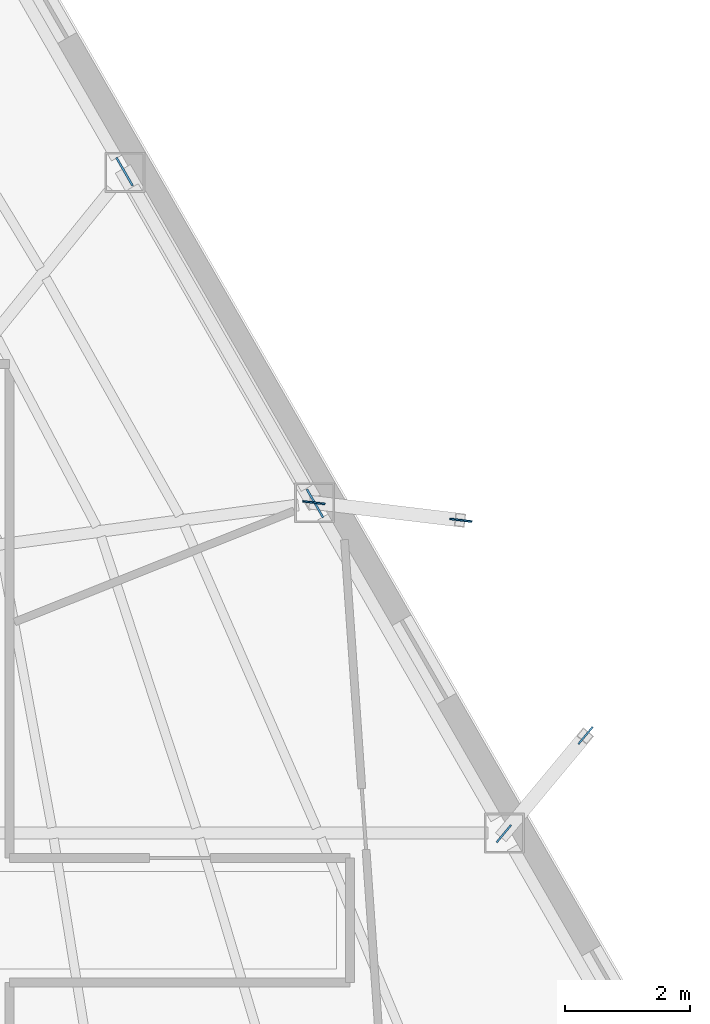
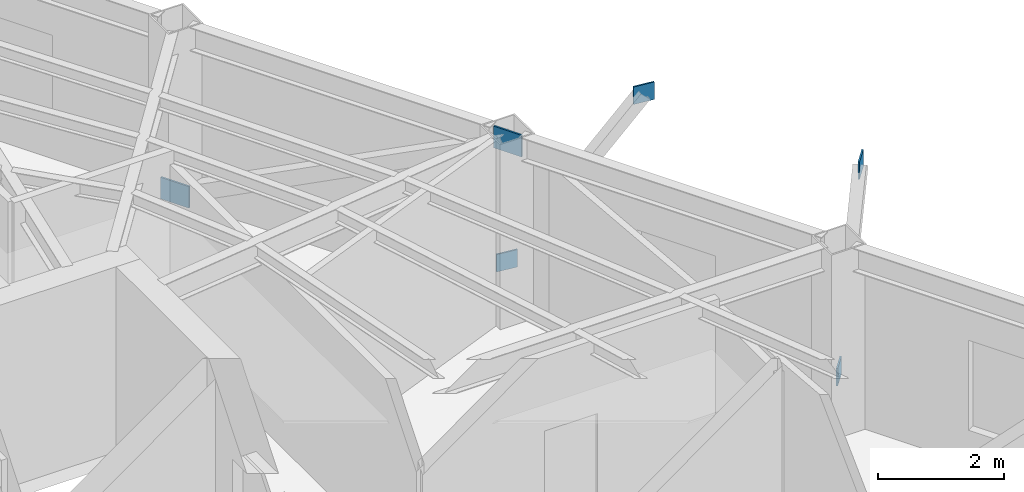
# One storey, part 5 of 11: 6 plates.
"""IFC4 building model written with IfcOpenShell, lengths in metres."""

from ifc_helpers import new_model, si_unit, direction, frame, origin, origin_2d, place, context, subcontext, project, spatial, rectangle, extrude, material, layer, layer_set, type_object, element, save


model = new_model("IFC4")

# Units and contexts
model_context = context("Model", 3, precision=1e-05, world=origin(), true_north=direction((0.0, 1.0)))
body_context = subcontext(model_context, "Body", "Model", "MODEL_VIEW")
ifc_project = project(units=[si_unit("LENGTHUNIT", "METRE"), si_unit("AREAUNIT", "SQUARE_METRE"), si_unit("VOLUMEUNIT", "CUBIC_METRE"), si_unit("PLANEANGLEUNIT", "RADIAN"), si_unit("MASSUNIT", "GRAM", prefix="KILO")], contexts=[model_context])

# Site, building, storey
site_placement = place(None, origin())
site = spatial("IfcSite", under=ifc_project, at=site_placement, CompositionType="ELEMENT")
building_placement = place(site_placement, origin())
building = spatial("IfcBuilding", under=site, at=building_placement, Name="Kavelnor Concourse Tower", CompositionType="ELEMENT")
storey_placement = place(building_placement, frame((0.0, 0.0, 172.699951171875)))
storey = spatial("IfcBuildingStorey", under=building, at=storey_placement, Name="L43", CompositionType="ELEMENT", Elevation=172.699951171875)

# Plates
ifc_material = material(Name="Steel Grade 350", Category="steel")
ifc_layer_1 = layer(ifc_material, 0.028076171875, Name="Steel Grade 350")
ifc_layer_set_1 = layer_set([ifc_layer_1], Name="Steel Grade 350")
plate_type_1 = type_object("IfcPlateType", Name="PL-GUSSET-FOLD", PredefinedType="USERDEFINED", material=ifc_layer_set_1)
for number, where, z_axis, x_axis, name in (
    (1, (57.865478515625, 17.489990234375, 0.8798828125), (0.0, 0.0, 1.0), (0.639573180455, 0.768730217204, 0.0), "L43 Balcony Strut Gusset GP4 1-A End Gusset A"),
    (2, (59.17578125, 19.064697265625, 3.48486328125), (0.0, 0.0, 1.0), (0.639573180455, 0.768730217204, 0.0), "L43 Balcony Strut Gusset GP4 1-A End Gusset B"),
    (3, (54.8193359375, 22.797607421875, 0.8798828125), (0.0, 0.0, 1.0), (0.992924116831, -0.118750571435, 0.0), "L43 Balcony Strut Gusset GP4 1-B End Gusset A"),
    (4, (57.17578125, 22.515625, 3.48486328125), (0.0, 0.0, 1.0), (0.992924116831, -0.118750571435, 0.0), "L43 Balcony Strut Gusset GP4 1-B End Gusset B"),
):
    element("IfcPlate", number, at=place(storey_placement, frame(where, z_axis=z_axis, x_axis=x_axis)), inside=storey, type_object=plate_type_1, Name=name, ObjectType="GUSSET_PLATE", PredefinedType="USERDEFINED", context=body_context, shape_type="SweptSolid", body=[
        extrude(rectangle(XDim=0.360107421875, YDim=0.028076171875, at=origin_2d()), origin(), (0.0, 0.0, 1.0), 0.340087890625),
    ])
ifc_layer_2 = layer(ifc_material, 0.031982421875, Name="Steel Grade 350")
ifc_layer_set_2 = layer_set([ifc_layer_2], Name="Steel Grade 350")
plate_type_2 = type_object("IfcPlateType", Name="PL-GUSSET-TUBE-Z1", PredefinedType="USERDEFINED", material=ifc_layer_set_2)
for number, where, z_axis, x_axis, name in (
    (5, (51.783203125, 28.103515625, 0.010009765625), (0.0, 0.0, 1.0), (0.498033765367, -0.867157637662, 0.0), "L43 Tube Brace Gusset GP3 F2-B2 End Gusset A"),
    (6, (54.837158203125, 22.78564453125, 3.16015625), (0.0, 0.0, 1.0), (0.498033765367, -0.867157637662, 0.0), "L43 Tube Brace Gusset GP3 F2-B2 End Gusset B"),
):
    element("IfcPlate", number, at=place(storey_placement, frame(where, z_axis=z_axis, x_axis=x_axis)), inside=storey, type_object=plate_type_2, Name=name, ObjectType="GUSSET_PLATE", PredefinedType="USERDEFINED", context=body_context, shape_type="SweptSolid", body=[
        extrude(rectangle(XDim=0.52001953125, YDim=0.031982421875, at=origin_2d()), origin(), (0.0, 0.0, 1.0), 0.419921875),
    ])

save(model, "model.ifc")
